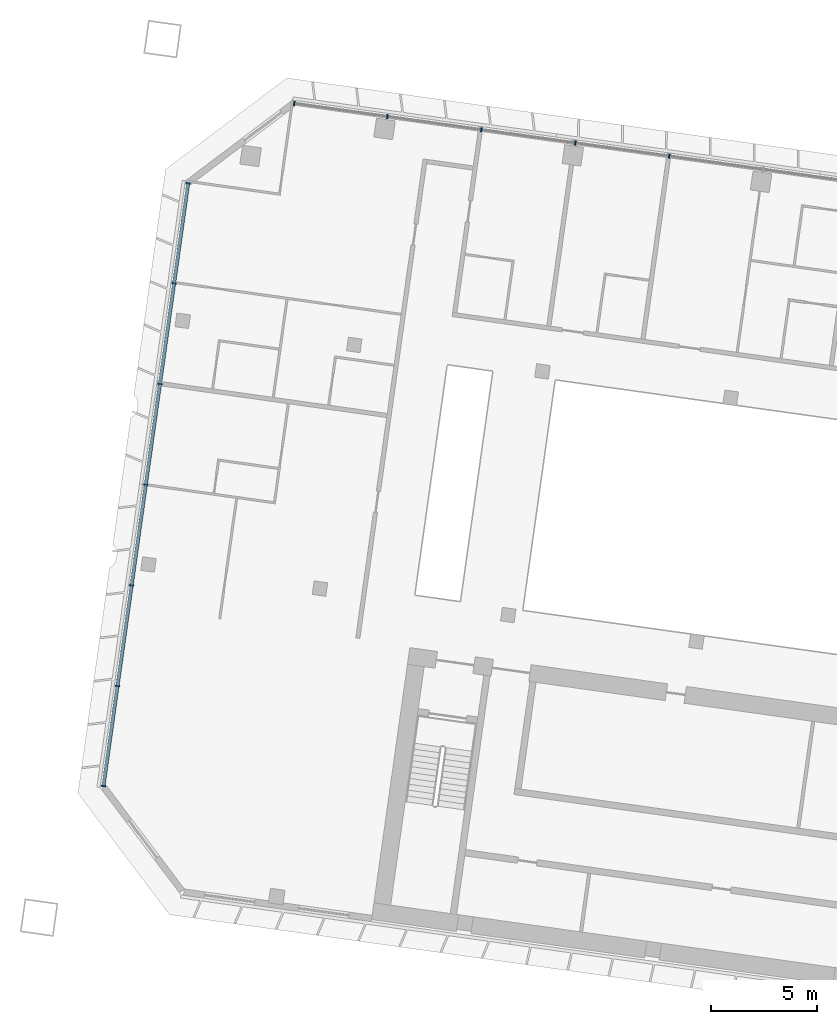
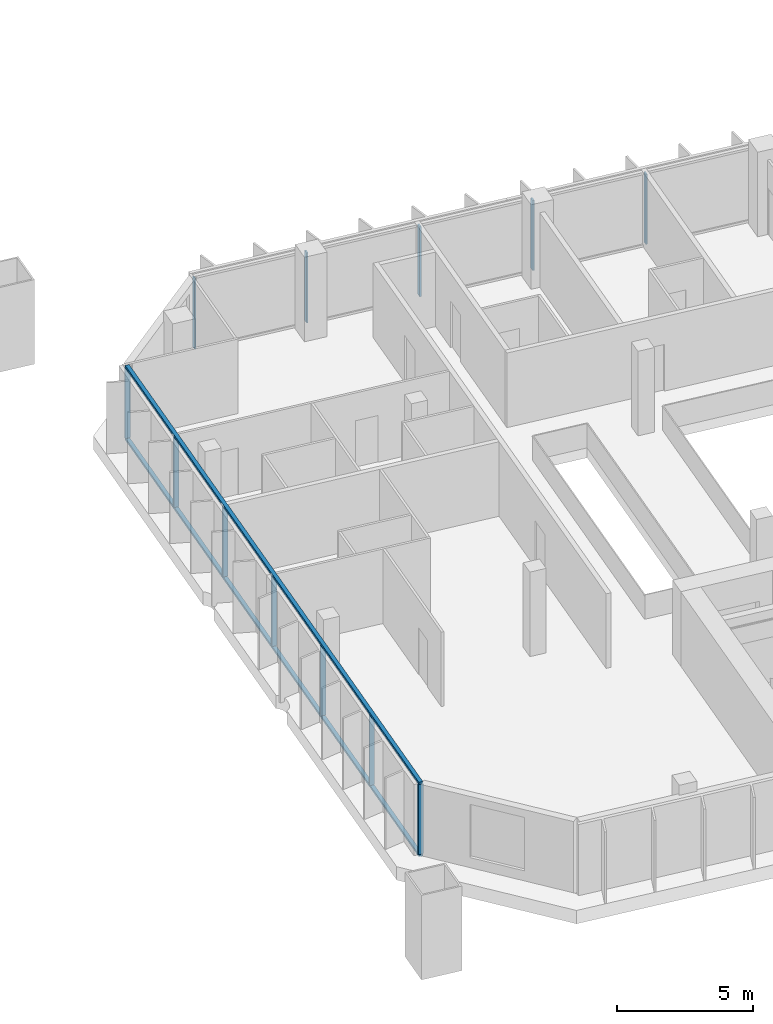
# One storey, part 2 of 26: 14 members, 2 elements without a shape of their own.
"""IFC4 building model written with IfcOpenShell, lengths in metres."""

from ifc_helpers import new_model, si_unit, direction, frame, origin, origin_2d, place, context, subcontext, project, spatial, rectangle, extrude, material, material_profile, profile_set, type_object, element, aggregate, save


model = new_model("IFC4")

# Units and contexts
model_context = context("Model", 3, precision=1e-05, world=origin(), true_north=direction((0.0, 1.0)))
body_context = subcontext(model_context, "Body", "Model", "MODEL_VIEW")
ifc_project = project(units=[si_unit("LENGTHUNIT", "METRE"), si_unit("AREAUNIT", "SQUARE_METRE"), si_unit("VOLUMEUNIT", "CUBIC_METRE"), si_unit("PLANEANGLEUNIT", "RADIAN"), si_unit("MASSUNIT", "GRAM", prefix="KILO")], contexts=[model_context])

# Site, building, storey
site_placement = place(None, origin())
site = spatial("IfcSite", under=ifc_project, at=site_placement, CompositionType="ELEMENT")
building_placement = place(site_placement, origin())
building = spatial("IfcBuilding", under=site, at=building_placement, Name="Mirante Cascada Hotel Towers", CompositionType="ELEMENT")
storey_placement = place(building_placement, frame((0.0, 0.0, 140.5)))
storey = spatial("IfcBuildingStorey", under=building, at=storey_placement, Name="L32", CompositionType="ELEMENT", Elevation=140.5)

# Curtain wall, members
ifc_material_1 = material(Name="Aluminium mullion and transom frame with clear laminated glass", Category="aluminium")
curtain_wall_type_1 = type_object("IfcCurtainWallType", Name="Ribbon curtain wall ECW1", PredefinedType="NOTDEFINED", material=ifc_material_1)
curtain_wall_1_placement = place(storey_placement, origin())
curtain_wall_1 = element("IfcCurtainWall", 1, at=curtain_wall_1_placement, inside=storey, type_object=curtain_wall_type_1, Name="Front ribbon wall T1 L32", PredefinedType="NOTDEFINED")
ifc_material_2 = material(Name="Anodised aluminium extrusion", Category="aluminium")
ifc_material_profile_1 = material_profile(ifc_material_2, rectangle(XDim=0.2, YDim=0.065, at=origin_2d()), Name="ECW1 MULLION 65x200")
ifc_profile_set_1 = profile_set([ifc_material_profile_1], Name="Anodised aluminium extrusion")
member_type_1 = type_object("IfcMemberType", Name="ECW1 mullion 65x200", PredefinedType="MULLION", material=ifc_profile_set_1)
member_1_placement = place(storey_placement, frame((-94.126, 26.0476, 0.1), z_axis=(0.0, 0.0, 1.0), x_axis=(0.1391731, 0.9902681, 0.0)))
member_1 = element("IfcMember", 2, at=member_1_placement, type_object=member_type_1, Name="ECW1 mullion 1", PredefinedType="MULLION", context=body_context, shape_type="SweptSolid", body=[
    extrude(rectangle(XDim=0.2, YDim=0.065, at=origin_2d()), origin(), (0.0, 0.0, 1.0), 3.15),
])
member_2_placement = place(storey_placement, frame((-89.7107, 25.427, 0.1), z_axis=(0.0, 0.0, 1.0), x_axis=(0.1391731, 0.9902681, 0.0)))
member_2 = element("IfcMember", 3, at=member_2_placement, type_object=member_type_1, Name="ECW1 mullion 2", PredefinedType="MULLION", context=body_context, shape_type="SweptSolid", body=[
    extrude(rectangle(XDim=0.2, YDim=0.065, at=origin_2d()), origin(), (0.0, 0.0, 1.0), 3.15),
])
member_3_placement = place(storey_placement, frame((-85.2633, 24.802, 0.1), z_axis=(0.0, 0.0, 1.0), x_axis=(0.1391731, 0.9902681, 0.0)))
member_3 = element("IfcMember", 4, at=member_3_placement, type_object=member_type_1, Name="ECW1 mullion 3", PredefinedType="MULLION", context=body_context, shape_type="SweptSolid", body=[
    extrude(rectangle(XDim=0.2, YDim=0.065, at=origin_2d()), origin(), (0.0, 0.0, 1.0), 3.15),
])
member_4_placement = place(storey_placement, frame((-80.8159, 24.177, 0.1), z_axis=(0.0, 0.0, 1.0), x_axis=(0.1391731, 0.9902681, 0.0)))
member_4 = element("IfcMember", 5, at=member_4_placement, type_object=member_type_1, Name="ECW1 mullion 4", PredefinedType="MULLION", context=body_context, shape_type="SweptSolid", body=[
    extrude(rectangle(XDim=0.2, YDim=0.065, at=origin_2d()), origin(), (0.0, 0.0, 1.0), 3.15),
])
member_5_placement = place(storey_placement, frame((-76.3685, 23.5519, 0.1), z_axis=(0.0, 0.0, 1.0), x_axis=(0.1391731, 0.9902681, 0.0)))
member_5 = element("IfcMember", 6, at=member_5_placement, type_object=member_type_1, Name="ECW1 mullion 5", PredefinedType="MULLION", context=body_context, shape_type="SweptSolid", body=[
    extrude(rectangle(XDim=0.2, YDim=0.065, at=origin_2d()), origin(), (0.0, 0.0, 1.0), 3.15),
])
aggregate(curtain_wall_1, [member_1, member_2, member_3, member_4, member_5])

ifc_material_3 = material(Name="Aluminium mullion and transom frame with clear laminated glass", Category="aluminium")
curtain_wall_type_2 = type_object("IfcCurtainWallType", Name="End ribbon curtain wall ECW2", PredefinedType="NOTDEFINED", material=ifc_material_3)
curtain_wall_2_placement = place(storey_placement, origin())
curtain_wall_2 = element("IfcCurtainWall", 7, at=curtain_wall_2_placement, inside=storey, type_object=curtain_wall_type_2, Name="Outer end wall T1 L32", PredefinedType="NOTDEFINED")
ifc_material_4 = material(Name="Anodised aluminium extrusion", Category="aluminium")
ifc_material_profile_2 = material_profile(ifc_material_4, rectangle(XDim=0.2, YDim=0.065, at=origin_2d()), Name="ECW2 MULLION 65x200")
ifc_profile_set_2 = profile_set([ifc_material_profile_2], Name="Anodised aluminium extrusion")
member_type_2 = type_object("IfcMemberType", Name="ECW2 mullion 65x200", PredefinedType="MULLION", material=ifc_profile_set_2)
member_6_placement = place(storey_placement, frame((-103.1556, -6.2656, 0.1), z_axis=(0.0, 0.0, 1.0), x_axis=(-0.9902681, 0.1391731, 0.0)))
member_6 = element("IfcMember", 8, at=member_6_placement, type_object=member_type_2, Name="ECW2 mullion 1", PredefinedType="MULLION", context=body_context, shape_type="SweptSolid", body=[
    extrude(rectangle(XDim=0.2, YDim=0.065, at=origin_2d()), origin(), (0.0, 0.0, 1.0), 3.15),
])
member_7_placement = place(storey_placement, frame((-102.4903, -1.532, 0.1), z_axis=(0.0, 0.0, 1.0), x_axis=(-0.9902681, 0.1391731, 0.0)))
member_7 = element("IfcMember", 9, at=member_7_placement, type_object=member_type_2, Name="ECW2 mullion 2", PredefinedType="MULLION", context=body_context, shape_type="SweptSolid", body=[
    extrude(rectangle(XDim=0.2, YDim=0.065, at=origin_2d()), origin(), (0.0, 0.0, 1.0), 3.15),
])
member_8_placement = place(storey_placement, frame((-101.8205, 3.2338, 0.1), z_axis=(0.0, 0.0, 1.0), x_axis=(-0.9902681, 0.1391731, 0.0)))
member_8 = element("IfcMember", 10, at=member_8_placement, type_object=member_type_2, Name="ECW2 mullion 3", PredefinedType="MULLION", context=body_context, shape_type="SweptSolid", body=[
    extrude(rectangle(XDim=0.2, YDim=0.065, at=origin_2d()), origin(), (0.0, 0.0, 1.0), 3.15),
])
member_9_placement = place(storey_placement, frame((-101.1508, 7.9996, 0.1), z_axis=(0.0, 0.0, 1.0), x_axis=(-0.9902681, 0.1391731, 0.0)))
member_9 = element("IfcMember", 11, at=member_9_placement, type_object=member_type_2, Name="ECW2 mullion 4", PredefinedType="MULLION", context=body_context, shape_type="SweptSolid", body=[
    extrude(rectangle(XDim=0.2, YDim=0.065, at=origin_2d()), origin(), (0.0, 0.0, 1.0), 3.15),
])
member_10_placement = place(storey_placement, frame((-100.481, 12.7654, 0.1), z_axis=(0.0, 0.0, 1.0), x_axis=(-0.9902681, 0.1391731, 0.0)))
member_10 = element("IfcMember", 12, at=member_10_placement, type_object=member_type_2, Name="ECW2 mullion 5", PredefinedType="MULLION", context=body_context, shape_type="SweptSolid", body=[
    extrude(rectangle(XDim=0.2, YDim=0.065, at=origin_2d()), origin(), (0.0, 0.0, 1.0), 3.15),
])
member_11_placement = place(storey_placement, frame((-99.8112, 17.5312, 0.1), z_axis=(0.0, 0.0, 1.0), x_axis=(-0.9902681, 0.1391731, 0.0)))
member_11 = element("IfcMember", 13, at=member_11_placement, type_object=member_type_2, Name="ECW2 mullion 6", PredefinedType="MULLION", context=body_context, shape_type="SweptSolid", body=[
    extrude(rectangle(XDim=0.2, YDim=0.065, at=origin_2d()), origin(), (0.0, 0.0, 1.0), 3.15),
])
member_12_placement = place(storey_placement, frame((-99.1459, 22.2648, 0.1), z_axis=(0.0, 0.0, 1.0), x_axis=(-0.9902681, 0.1391731, 0.0)))
member_12 = element("IfcMember", 14, at=member_12_placement, type_object=member_type_2, Name="ECW2 mullion 7", PredefinedType="MULLION", context=body_context, shape_type="SweptSolid", body=[
    extrude(rectangle(XDim=0.2, YDim=0.065, at=origin_2d()), origin(), (0.0, 0.0, 1.0), 3.15),
])
ifc_material_5 = material(Name="Anodised aluminium extrusion", Category="aluminium")
ifc_material_profile_3 = material_profile(ifc_material_5, rectangle(XDim=0.16, YDim=0.1, at=origin_2d()), Name="ECW2 TRANSOM 100x160")
ifc_profile_set_3 = profile_set([ifc_material_profile_3], Name="Anodised aluminium extrusion")
member_type_3 = type_object("IfcMemberType", Name="ECW2 transom 100x160", PredefinedType="USERDEFINED", material=ifc_profile_set_3)
member_13_placement = place(storey_placement, frame((-103.1601, -6.2978, 0.05), z_axis=(0.1391723, 0.9902682, 0.0), x_axis=(-0.9902682, 0.1391723, 0.0)))
member_13 = element("IfcMember", 15, at=member_13_placement, type_object=member_type_3, Name="ECW2 sill transom", ObjectType="TRANSOM", PredefinedType="USERDEFINED", context=body_context, shape_type="SweptSolid", body=[
    extrude(rectangle(XDim=0.16, YDim=0.1, at=origin_2d()), origin(), (0.0, 0.0, 1.0), 28.8757),
])
member_14_placement = place(storey_placement, frame((-103.1601, -6.2978, 3.3), z_axis=(0.1391723, 0.9902682, 0.0), x_axis=(-0.9902682, 0.1391723, 0.0)))
member_14 = element("IfcMember", 16, at=member_14_placement, type_object=member_type_3, Name="ECW2 head transom", ObjectType="TRANSOM", PredefinedType="USERDEFINED", context=body_context, shape_type="SweptSolid", body=[
    extrude(rectangle(XDim=0.16, YDim=0.1, at=origin_2d()), origin(), (0.0, 0.0, 1.0), 28.8757),
])
aggregate(curtain_wall_2, [member_13, member_14, member_6, member_7, member_8, member_9, member_10, member_11, member_12])

save(model, "model.ifc")
